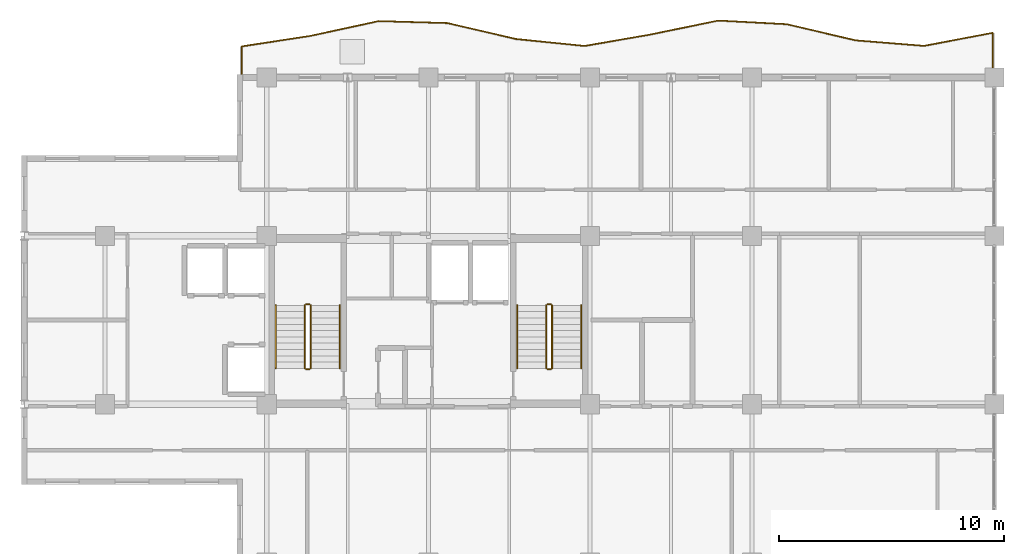
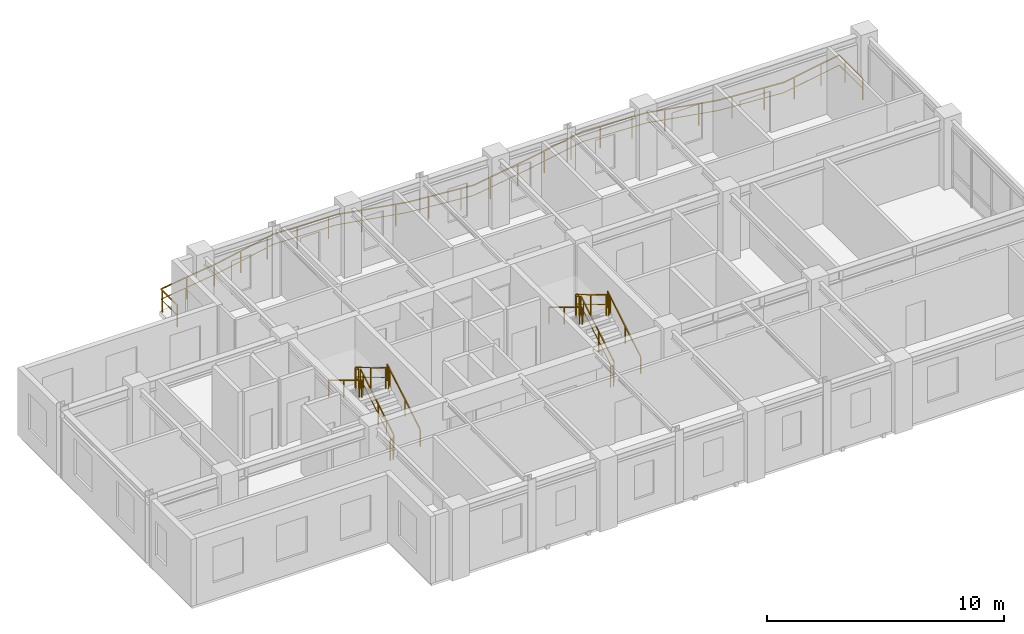
# One storey, part 10 of 10: 13 railings.
"""IFC4 building model written with IfcOpenShell, lengths in metres."""

from ifc_helpers import new_model, si_unit, direction, frame, origin, origin_2d, place, context, subcontext, project, spatial, rectangle, extrude, material, type_object, element, save


model = new_model("IFC4")

# Units and contexts
model_context = context("Model", 3, precision=1e-05, world=origin(), true_north=direction((0.0, 1.0)))
body_context = subcontext(model_context, "Body", "Model", "MODEL_VIEW")
ifc_project = project(units=[si_unit("LENGTHUNIT", "METRE"), si_unit("AREAUNIT", "SQUARE_METRE"), si_unit("VOLUMEUNIT", "CUBIC_METRE"), si_unit("PLANEANGLEUNIT", "RADIAN"), si_unit("MASSUNIT", "GRAM", prefix="KILO")], contexts=[model_context])

# Site, building, storey
site_placement = place(None, origin())
site = spatial("IfcSite", under=ifc_project, at=site_placement, CompositionType="ELEMENT")
building_placement = place(site_placement, origin())
building = spatial("IfcBuilding", under=site, at=building_placement, Name="Kaliganga Portal Commons", CompositionType="ELEMENT")
storey_placement = place(building_placement, frame((0.0, 0.0, 279.5)))
storey = spatial("IfcBuildingStorey", under=building, at=storey_placement, Name="L72", CompositionType="ELEMENT", Elevation=279.5)

# Railings
ifc_material_1 = material(Name="Laminated Safety Glass and Stainless Steel 316", Category="steel")
railing_type_1 = type_object("IfcRailingType", Name="RLG-BAL-1150", PredefinedType="BALUSTRADE", material=ifc_material_1)
railing_1_placement = place(storey_placement, frame((46.720458984375, 43.2080078125, 0.0)))
element("IfcRailing", 1, at=railing_1_placement, inside=storey, type_object=railing_type_1, Name="Balcony Guardrail L72 balc_north", PredefinedType="BALUSTRADE", context=body_context, shape_type="SweptSolid", body=[
    extrude(rectangle(XDim=0.048095703125, YDim=0.048095703125, at=origin_2d()), frame((0.0, 0.0, 1.1259765625), z_axis=(-0.000246426804, 0.999999969637, 0.0), x_axis=(-0.999999969637, -0.000246426804, 0.0)), (0.0, 0.0, 1.0), 1.9814453125),
    extrude(rectangle(XDim=0.028076171875, YDim=0.028076171875, at=origin_2d()), frame((0.0, 0.0, 0.597900390625), z_axis=(-0.000246426804, 0.999999969637, 0.0), x_axis=(-0.999999969637, -0.000246426804, 0.0)), (0.0, 0.0, 1.0), 1.9814453125),
    extrude(rectangle(XDim=0.048095703125, YDim=0.048095703125, at=origin_2d()), frame((-0.00048828125, 1.9814453125, 1.1259765625), z_axis=(-0.982425747669, -0.186653824811, 0.0), x_axis=(0.186653824811, -0.982425747669, 0.0)), (0.0, 0.0, 1.0), 3.109130859375),
    extrude(rectangle(XDim=0.028076171875, YDim=0.028076171875, at=origin_2d()), frame((-0.00048828125, 1.9814453125, 0.597900390625), z_axis=(-0.982425747669, -0.186653824811, 0.0), x_axis=(0.186653824811, -0.982425747669, 0.0)), (0.0, 0.0, 1.0), 3.109130859375),
    extrude(rectangle(XDim=0.048095703125, YDim=0.048095703125, at=origin_2d()), frame((-3.054931640625, 1.401123046875, 1.1259765625), z_axis=(-0.996751382799, 0.080539933505, 0.0), x_axis=(-0.080539933505, -0.996751382799, 0.0)), (0.0, 0.0, 1.0), 3.064697265625),
    extrude(rectangle(XDim=0.028076171875, YDim=0.028076171875, at=origin_2d()), frame((-3.054931640625, 1.401123046875, 0.597900390625), z_axis=(-0.996751382799, 0.080539933505, 0.0), x_axis=(-0.080539933505, -0.996751382799, 0.0)), (0.0, 0.0, 1.0), 3.064697265625),
    extrude(rectangle(XDim=0.048095703125, YDim=0.048095703125, at=origin_2d()), frame((-6.109619140625, 1.64794921875, 1.1259765625), z_axis=(-0.973439616392, 0.2289439085, 0.0), x_axis=(-0.2289439085, -0.973439616392, 0.0)), (0.0, 0.0, 1.0), 3.13720703125),
    extrude(rectangle(XDim=0.028076171875, YDim=0.028076171875, at=origin_2d()), frame((-6.109619140625, 1.64794921875, 0.597900390625), z_axis=(-0.973439616392, 0.2289439085, 0.0), x_axis=(-0.2289439085, -0.973439616392, 0.0)), (0.0, 0.0, 1.0), 3.13720703125),
    extrude(rectangle(XDim=0.048095703125, YDim=0.048095703125, at=origin_2d()), frame((-9.16357421875, 2.3662109375, 1.1259765625), z_axis=(-0.998610541148, 0.052697126182, 0.0), x_axis=(-0.052697126182, -0.998610541148, 0.0)), (0.0, 0.0, 1.0), 3.0576171875),
    extrude(rectangle(XDim=0.028076171875, YDim=0.028076171875, at=origin_2d()), frame((-9.16357421875, 2.3662109375, 0.597900390625), z_axis=(-0.998610541148, 0.052697126182, 0.0), x_axis=(-0.052697126182, -0.998610541148, 0.0)), (0.0, 0.0, 1.0), 3.0576171875),
    extrude(rectangle(XDim=0.048095703125, YDim=0.048095703125, at=origin_2d()), frame((-12.217041015625, 2.52734375, 1.1259765625), z_axis=(-0.979552885668, -0.201186838981, 0.0), x_axis=(0.201186838981, -0.979552885668, 0.0)), (0.0, 0.0, 1.0), 3.11865234375),
    extrude(rectangle(XDim=0.028076171875, YDim=0.028076171875, at=origin_2d()), frame((-12.217041015625, 2.52734375, 0.597900390625), z_axis=(-0.979552885668, -0.201186838981, 0.0), x_axis=(0.201186838981, -0.979552885668, 0.0)), (0.0, 0.0, 1.0), 3.11865234375),
    extrude(rectangle(XDim=0.048095703125, YDim=0.048095703125, at=origin_2d()), frame((-15.27197265625, 1.89990234375, 1.1259765625), z_axis=(-0.985276891523, -0.17096621605, 0.0), x_axis=(0.17096621605, -0.985276891523, 0.0)), (0.0, 0.0, 1.0), 2.940185546875),
    extrude(rectangle(XDim=0.028076171875, YDim=0.028076171875, at=origin_2d()), frame((-15.27197265625, 1.89990234375, 0.597900390625), z_axis=(-0.985276891523, -0.17096621605, 0.0), x_axis=(0.17096621605, -0.985276891523, 0.0)), (0.0, 0.0, 1.0), 2.940185546875),
    extrude(rectangle(XDim=0.048095703125, YDim=0.048095703125, at=origin_2d()), frame((-18.1689453125, 1.397216796875, 1.1259765625), z_axis=(-0.994891206319, 0.100952897875, 0.0), x_axis=(-0.100952897875, -0.994891206319, 0.0)), (0.0, 0.0, 1.0), 3.06884765625),
    extrude(rectangle(XDim=0.028076171875, YDim=0.028076171875, at=origin_2d()), frame((-18.1689453125, 1.397216796875, 0.597900390625), z_axis=(-0.994891206319, 0.100952897875, 0.0), x_axis=(-0.100952897875, -0.994891206319, 0.0)), (0.0, 0.0, 1.0), 3.06884765625),
    extrude(rectangle(XDim=0.048095703125, YDim=0.048095703125, at=origin_2d()), frame((-21.22216796875, 1.70703125, 1.1259765625), z_axis=(-0.974080664154, 0.226200927763, 0.0), x_axis=(-0.226200927763, -0.974080664154, 0.0)), (0.0, 0.0, 1.0), 3.136474609375),
    extrude(rectangle(XDim=0.028076171875, YDim=0.028076171875, at=origin_2d()), frame((-21.22216796875, 1.70703125, 0.597900390625), z_axis=(-0.974080664154, 0.226200927763, 0.0), x_axis=(-0.226200927763, -0.974080664154, 0.0)), (0.0, 0.0, 1.0), 3.136474609375),
    extrude(rectangle(XDim=0.048095703125, YDim=0.048095703125, at=origin_2d()), frame((-24.27734375, 2.41650390625, 1.1259765625), z_axis=(-0.999579278707, 0.029004578591, 0.0), x_axis=(-0.029004578591, -0.999579278707, 0.0)), (0.0, 0.0, 1.0), 3.055419921875),
    extrude(rectangle(XDim=0.028076171875, YDim=0.028076171875, at=origin_2d()), frame((-24.27734375, 2.41650390625, 0.597900390625), z_axis=(-0.999579278707, 0.029004578591, 0.0), x_axis=(-0.029004578591, -0.999579278707, 0.0)), (0.0, 0.0, 1.0), 3.055419921875),
    extrude(rectangle(XDim=0.048095703125, YDim=0.048095703125, at=origin_2d()), frame((-27.33154296875, 2.505126953125, 1.1259765625), z_axis=(-0.977367039829, -0.211550630953, 0.0), x_axis=(0.211550630953, -0.977367039829, 0.0)), (0.0, 0.0, 1.0), 3.125244140625),
    extrude(rectangle(XDim=0.028076171875, YDim=0.028076171875, at=origin_2d()), frame((-27.33154296875, 2.505126953125, 0.597900390625), z_axis=(-0.977367039829, -0.211550630953, 0.0), x_axis=(0.211550630953, -0.977367039829, 0.0)), (0.0, 0.0, 1.0), 3.125244140625),
    extrude(rectangle(XDim=0.048095703125, YDim=0.048095703125, at=origin_2d()), frame((-30.385986328125, 1.843994140625, 1.1259765625), z_axis=(-0.988487412372, -0.151303124826, 0.0), x_axis=(0.151303124826, -0.988487412372, 0.0)), (0.0, 0.0, 1.0), 3.090087890625),
    extrude(rectangle(XDim=0.028076171875, YDim=0.028076171875, at=origin_2d()), frame((-30.385986328125, 1.843994140625, 0.597900390625), z_axis=(-0.988487412372, -0.151303124826, 0.0), x_axis=(0.151303124826, -0.988487412372, 0.0)), (0.0, 0.0, 1.0), 3.090087890625),
    extrude(rectangle(XDim=0.048095703125, YDim=0.048095703125, at=origin_2d()), frame((-33.4404296875, 1.37646484375, 1.1259765625), z_axis=(-0.0003547357, -0.999999937081, 0.0), x_axis=(0.999999937081, -0.0003547357, 0.0)), (0.0, 0.0, 1.0), 1.37646484375),
    extrude(rectangle(XDim=0.028076171875, YDim=0.028076171875, at=origin_2d()), frame((-33.4404296875, 1.37646484375, 0.597900390625), z_axis=(-0.0003547357, -0.999999937081, 0.0), x_axis=(0.999999937081, -0.0003547357, 0.0)), (0.0, 0.0, 1.0), 1.37646484375),
    extrude(rectangle(XDim=0.0419921875, YDim=0.0419921875, at=origin_2d()), origin(), (0.0, 0.0, 1.0), 1.101806640625),
    extrude(rectangle(XDim=0.0419921875, YDim=0.0419921875, at=origin_2d()), frame((-0.00048828125, 1.5, 0.0)), (0.0, 0.0, 1.0), 1.101806640625),
    extrude(rectangle(XDim=0.0419921875, YDim=0.0419921875, at=origin_2d()), frame((-1.001220703125, 1.791259765625, 0.0)), (0.0, 0.0, 1.0), 1.101806640625),
    extrude(rectangle(XDim=0.0419921875, YDim=0.0419921875, at=origin_2d()), frame((-2.474853515625, 1.51123046875, 0.0)), (0.0, 0.0, 1.0), 1.101806640625),
    extrude(rectangle(XDim=0.0419921875, YDim=0.0419921875, at=origin_2d()), frame((-3.96142578125, 1.474365234375, 0.0)), (0.0, 0.0, 1.0), 1.101806640625),
    extrude(rectangle(XDim=0.0419921875, YDim=0.0419921875, at=origin_2d()), frame((-5.45654296875, 1.59521484375, 0.0)), (0.0, 0.0, 1.0), 1.101806640625),
    extrude(rectangle(XDim=0.0419921875, YDim=0.0419921875, at=origin_2d()), frame((-6.93212890625, 1.84130859375, 0.0)), (0.0, 0.0, 1.0), 1.101806640625),
    extrude(rectangle(XDim=0.0419921875, YDim=0.0419921875, at=origin_2d()), frame((-8.39208984375, 2.184814453125, 0.0)), (0.0, 0.0, 1.0), 1.101806640625),
    extrude(rectangle(XDim=0.0419921875, YDim=0.0419921875, at=origin_2d()), frame((-9.8701171875, 2.403564453125, 0.0)), (0.0, 0.0, 1.0), 1.101806640625),
    extrude(rectangle(XDim=0.0419921875, YDim=0.0419921875, at=origin_2d()), frame((-11.3681640625, 2.482421875, 0.0)), (0.0, 0.0, 1.0), 1.101806640625),
    extrude(rectangle(XDim=0.0419921875, YDim=0.0419921875, at=origin_2d()), frame((-12.853515625, 2.396728515625, 0.0)), (0.0, 0.0, 1.0), 1.101806640625),
    extrude(rectangle(XDim=0.0419921875, YDim=0.0419921875, at=origin_2d()), frame((-14.322998046875, 2.0947265625, 0.0)), (0.0, 0.0, 1.0), 1.101806640625),
    extrude(rectangle(XDim=0.0419921875, YDim=0.0419921875, at=origin_2d()), frame((-15.795166015625, 1.80908203125, 0.0)), (0.0, 0.0, 1.0), 1.101806640625),
    extrude(rectangle(XDim=0.0419921875, YDim=0.0419921875, at=origin_2d()), frame((-17.273193359375, 1.552734375, 0.0)), (0.0, 0.0, 1.0), 1.101806640625),
    extrude(rectangle(XDim=0.0419921875, YDim=0.0419921875, at=origin_2d()), frame((-18.7568359375, 1.456787109375, 0.0)), (0.0, 0.0, 1.0), 1.101806640625),
    extrude(rectangle(XDim=0.0419921875, YDim=0.0419921875, at=origin_2d()), frame((-20.2490234375, 1.6083984375, 0.0)), (0.0, 0.0, 1.0), 1.101806640625),
    extrude(rectangle(XDim=0.0419921875, YDim=0.0419921875, at=origin_2d()), frame((-21.730712890625, 1.8251953125, 0.0)), (0.0, 0.0, 1.0), 1.101806640625),
    extrude(rectangle(XDim=0.0419921875, YDim=0.0419921875, at=origin_2d()), frame((-23.191650390625, 2.164306640625, 0.0)), (0.0, 0.0, 1.0), 1.101806640625),
    extrude(rectangle(XDim=0.0419921875, YDim=0.0419921875, at=origin_2d()), frame((-24.66259765625, 2.427734375, 0.0)), (0.0, 0.0, 1.0), 1.101806640625),
    extrude(rectangle(XDim=0.0419921875, YDim=0.0419921875, at=origin_2d()), frame((-26.162109375, 2.47119140625, 0.0)), (0.0, 0.0, 1.0), 1.101806640625),
    extrude(rectangle(XDim=0.0419921875, YDim=0.0419921875, at=origin_2d()), frame((-27.654052734375, 2.435302734375, 0.0)), (0.0, 0.0, 1.0), 1.101806640625),
    extrude(rectangle(XDim=0.0419921875, YDim=0.0419921875, at=origin_2d()), frame((-29.1201171875, 2.117919921875, 0.0)), (0.0, 0.0, 1.0), 1.101806640625),
    extrude(rectangle(XDim=0.0419921875, YDim=0.0419921875, at=origin_2d()), frame((-30.58837890625, 1.81298828125, 0.0)), (0.0, 0.0, 1.0), 1.101806640625),
    extrude(rectangle(XDim=0.0419921875, YDim=0.0419921875, at=origin_2d()), frame((-32.0712890625, 1.5859375, 0.0)), (0.0, 0.0, 1.0), 1.101806640625),
    extrude(rectangle(XDim=0.0419921875, YDim=0.0419921875, at=origin_2d()), frame((-33.4404296875, 1.26171875, 0.0)), (0.0, 0.0, 1.0), 1.101806640625),
    extrude(rectangle(XDim=0.0419921875, YDim=0.0419921875, at=origin_2d()), frame((-33.44091796875, 0.0, 0.0)), (0.0, 0.0, 1.0), 1.101806640625),
])
ifc_material_2 = material(Name="Galvanized Painted Steel Balustrade", Category="steel")
railing_type_2 = type_object("IfcRailingType", Name="RLG-STAIR-GRD", PredefinedType="GUARDRAIL", material=ifc_material_2)
railing_2_placement = place(storey_placement, frame((16.35009765625, 30.25, 0.168212890625)))
element("IfcRailing", 2, at=railing_2_placement, inside=storey, type_object=railing_type_2, Name="L72 ST-A1 stair guard 1", PredefinedType="GUARDRAIL", context=body_context, shape_type="SweptSolid", body=[
    extrude(rectangle(XDim=0.048095703125, YDim=0.048095703125, at=origin_2d()), frame((0.0, 0.0, 1.072021484375), z_axis=(0.0, 0.857242210791, 0.514913383045), x_axis=(-1.0, 0.0, 0.0)), (0.0, 0.0, 1.0), 3.266357421875),
    extrude(rectangle(XDim=0.028076171875, YDim=0.028076171875, at=origin_2d()), frame((0.0, 0.0, 0.572021484375), z_axis=(0.0, 0.857242210791, 0.514913383045), x_axis=(-1.0, 0.0, 0.0)), (0.0, 0.0, 1.0), 3.266357421875),
    extrude(rectangle(XDim=0.0419921875, YDim=0.0419921875, at=origin_2d()), origin(), (0.0, 0.0, 1.0), 1.052001953125),
    extrude(rectangle(XDim=0.0419921875, YDim=0.0419921875, at=origin_2d()), frame((0.0, 1.285888671875, 0.7724609375)), (0.0, 0.0, 1.0), 1.052001953125),
    extrude(rectangle(XDim=0.0419921875, YDim=0.0419921875, at=origin_2d()), frame((0.0, 2.57177734375, 1.544677734375)), (0.0, 0.0, 1.0), 1.052001953125),
    extrude(rectangle(XDim=0.0419921875, YDim=0.0419921875, at=origin_2d()), frame((0.0, 2.800048828125, 1.681884765625)), (0.0, 0.0, 1.0), 1.052001953125),
])
railing_3_placement = place(storey_placement, frame((16.300048828125, 33.10009765625, 1.85009765625)))
element("IfcRailing", 3, at=railing_3_placement, inside=storey, type_object=railing_type_2, Name="L72 ST-A1 stair guard 2", PredefinedType="GUARDRAIL", context=body_context, shape_type="SweptSolid", body=[
    extrude(rectangle(XDim=0.048095703125, YDim=0.048095703125, at=origin_2d()), frame((0.0, 0.0, 1.076171875), z_axis=(-1.0, 0.0, 0.0), x_axis=(0.0, -1.0, 0.0)), (0.0, 0.0, 1.0), 0.150146484375),
    extrude(rectangle(XDim=0.028076171875, YDim=0.028076171875, at=origin_2d()), frame((0.0, 0.0, 0.572021484375), z_axis=(-1.0, 0.0, 0.0), x_axis=(0.0, -1.0, 0.0)), (0.0, 0.0, 1.0), 0.150146484375),
    extrude(rectangle(XDim=0.0419921875, YDim=0.0419921875, at=origin_2d()), origin(), (0.0, 0.0, 1.0), 1.052001953125),
    extrude(rectangle(XDim=0.0419921875, YDim=0.0419921875, at=origin_2d()), frame((-0.150146484375, 0.0, 0.0)), (0.0, 0.0, 1.0), 1.052001953125),
])
railing_4_placement = place(storey_placement, frame((16.10009765625, 33.050048828125, 2.01806640625)))
element("IfcRailing", 4, at=railing_4_placement, inside=storey, type_object=railing_type_2, Name="L72 ST-A1 stair guard 3", PredefinedType="GUARDRAIL", context=body_context, shape_type="SweptSolid", body=[
    extrude(rectangle(XDim=0.048095703125, YDim=0.048095703125, at=origin_2d()), frame((0.0, 0.0, 1.072021484375), z_axis=(0.0, -0.857242210791, 0.514913383045), x_axis=(1.0, 0.0, 0.0)), (0.0, 0.0, 1.0), 3.266357421875),
    extrude(rectangle(XDim=0.028076171875, YDim=0.028076171875, at=origin_2d()), frame((0.0, 0.0, 0.572021484375), z_axis=(0.0, -0.857242210791, 0.514913383045), x_axis=(1.0, 0.0, 0.0)), (0.0, 0.0, 1.0), 3.266357421875),
    extrude(rectangle(XDim=0.0419921875, YDim=0.0419921875, at=origin_2d()), origin(), (0.0, 0.0, 1.0), 1.052001953125),
    extrude(rectangle(XDim=0.0419921875, YDim=0.0419921875, at=origin_2d()), frame((0.0, -1.285888671875, 0.7724609375)), (0.0, 0.0, 1.0), 1.052001953125),
    extrude(rectangle(XDim=0.0419921875, YDim=0.0419921875, at=origin_2d()), frame((0.0, -2.57177734375, 1.544677734375)), (0.0, 0.0, 1.0), 1.052001953125),
    extrude(rectangle(XDim=0.0419921875, YDim=0.0419921875, at=origin_2d()), frame((0.0, -2.800048828125, 1.681884765625)), (0.0, 0.0, 1.0), 1.052001953125),
])
railing_5_placement = place(storey_placement, frame((16.300048828125, 30.199951171875, 0.0)))
element("IfcRailing", 5, at=railing_5_placement, inside=storey, type_object=railing_type_2, Name="L72 ST-A1 stair guard 4", PredefinedType="GUARDRAIL", context=body_context, shape_type="SweptSolid", body=[
    extrude(rectangle(XDim=0.048095703125, YDim=0.048095703125, at=origin_2d()), frame((0.0, 0.0, 1.076171875), z_axis=(-1.0, 0.0, 0.0), x_axis=(0.0, -1.0, 0.0)), (0.0, 0.0, 1.0), 0.150146484375),
    extrude(rectangle(XDim=0.028076171875, YDim=0.028076171875, at=origin_2d()), frame((0.0, 0.0, 0.572021484375), z_axis=(-1.0, 0.0, 0.0), x_axis=(0.0, -1.0, 0.0)), (0.0, 0.0, 1.0), 0.150146484375),
    extrude(rectangle(XDim=0.0419921875, YDim=0.0419921875, at=origin_2d()), origin(), (0.0, 0.0, 1.0), 1.052001953125),
    extrude(rectangle(XDim=0.0419921875, YDim=0.0419921875, at=origin_2d()), frame((-0.150146484375, 0.0, 0.0)), (0.0, 0.0, 1.0), 1.052001953125),
])
railing_6_placement = place(storey_placement, frame((27.10009765625, 30.25, 0.168212890625)))
element("IfcRailing", 6, at=railing_6_placement, inside=storey, type_object=railing_type_2, Name="L72 ST-A2 stair guard 1", PredefinedType="GUARDRAIL", context=body_context, shape_type="SweptSolid", body=[
    extrude(rectangle(XDim=0.048095703125, YDim=0.048095703125, at=origin_2d()), frame((0.0, 0.0, 1.072021484375), z_axis=(0.0, 0.857242210791, 0.514913383045), x_axis=(-1.0, 0.0, 0.0)), (0.0, 0.0, 1.0), 3.266357421875),
    extrude(rectangle(XDim=0.028076171875, YDim=0.028076171875, at=origin_2d()), frame((0.0, 0.0, 0.572021484375), z_axis=(0.0, 0.857242210791, 0.514913383045), x_axis=(-1.0, 0.0, 0.0)), (0.0, 0.0, 1.0), 3.266357421875),
    extrude(rectangle(XDim=0.0419921875, YDim=0.0419921875, at=origin_2d()), origin(), (0.0, 0.0, 1.0), 1.052001953125),
    extrude(rectangle(XDim=0.0419921875, YDim=0.0419921875, at=origin_2d()), frame((0.0, 1.285888671875, 0.7724609375)), (0.0, 0.0, 1.0), 1.052001953125),
    extrude(rectangle(XDim=0.0419921875, YDim=0.0419921875, at=origin_2d()), frame((0.0, 2.57177734375, 1.544677734375)), (0.0, 0.0, 1.0), 1.052001953125),
    extrude(rectangle(XDim=0.0419921875, YDim=0.0419921875, at=origin_2d()), frame((0.0, 2.800048828125, 1.681884765625)), (0.0, 0.0, 1.0), 1.052001953125),
])
railing_7_placement = place(storey_placement, frame((27.050048828125, 33.10009765625, 1.85009765625)))
element("IfcRailing", 7, at=railing_7_placement, inside=storey, type_object=railing_type_2, Name="L72 ST-A2 stair guard 2", PredefinedType="GUARDRAIL", context=body_context, shape_type="SweptSolid", body=[
    extrude(rectangle(XDim=0.048095703125, YDim=0.048095703125, at=origin_2d()), frame((0.0, 0.0, 1.076171875), z_axis=(-1.0, 0.0, 0.0), x_axis=(0.0, -1.0, 0.0)), (0.0, 0.0, 1.0), 0.150146484375),
    extrude(rectangle(XDim=0.028076171875, YDim=0.028076171875, at=origin_2d()), frame((0.0, 0.0, 0.572021484375), z_axis=(-1.0, 0.0, 0.0), x_axis=(0.0, -1.0, 0.0)), (0.0, 0.0, 1.0), 0.150146484375),
    extrude(rectangle(XDim=0.0419921875, YDim=0.0419921875, at=origin_2d()), origin(), (0.0, 0.0, 1.0), 1.052001953125),
    extrude(rectangle(XDim=0.0419921875, YDim=0.0419921875, at=origin_2d()), frame((-0.150146484375, 0.0, 0.0)), (0.0, 0.0, 1.0), 1.052001953125),
])
railing_8_placement = place(storey_placement, frame((26.85009765625, 33.050048828125, 2.01806640625)))
element("IfcRailing", 8, at=railing_8_placement, inside=storey, type_object=railing_type_2, Name="L72 ST-A2 stair guard 3", PredefinedType="GUARDRAIL", context=body_context, shape_type="SweptSolid", body=[
    extrude(rectangle(XDim=0.048095703125, YDim=0.048095703125, at=origin_2d()), frame((0.0, 0.0, 1.072021484375), z_axis=(0.0, -0.857242210791, 0.514913383045), x_axis=(1.0, 0.0, 0.0)), (0.0, 0.0, 1.0), 3.266357421875),
    extrude(rectangle(XDim=0.028076171875, YDim=0.028076171875, at=origin_2d()), frame((0.0, 0.0, 0.572021484375), z_axis=(0.0, -0.857242210791, 0.514913383045), x_axis=(1.0, 0.0, 0.0)), (0.0, 0.0, 1.0), 3.266357421875),
    extrude(rectangle(XDim=0.0419921875, YDim=0.0419921875, at=origin_2d()), origin(), (0.0, 0.0, 1.0), 1.052001953125),
    extrude(rectangle(XDim=0.0419921875, YDim=0.0419921875, at=origin_2d()), frame((0.0, -1.285888671875, 0.7724609375)), (0.0, 0.0, 1.0), 1.052001953125),
    extrude(rectangle(XDim=0.0419921875, YDim=0.0419921875, at=origin_2d()), frame((0.0, -2.57177734375, 1.544677734375)), (0.0, 0.0, 1.0), 1.052001953125),
    extrude(rectangle(XDim=0.0419921875, YDim=0.0419921875, at=origin_2d()), frame((0.0, -2.800048828125, 1.681884765625)), (0.0, 0.0, 1.0), 1.052001953125),
])
railing_9_placement = place(storey_placement, frame((27.050048828125, 30.199951171875, 0.0)))
element("IfcRailing", 9, at=railing_9_placement, inside=storey, type_object=railing_type_2, Name="L72 ST-A2 stair guard 4", PredefinedType="GUARDRAIL", context=body_context, shape_type="SweptSolid", body=[
    extrude(rectangle(XDim=0.048095703125, YDim=0.048095703125, at=origin_2d()), frame((0.0, 0.0, 1.076171875), z_axis=(-1.0, 0.0, 0.0), x_axis=(0.0, -1.0, 0.0)), (0.0, 0.0, 1.0), 0.150146484375),
    extrude(rectangle(XDim=0.028076171875, YDim=0.028076171875, at=origin_2d()), frame((0.0, 0.0, 0.572021484375), z_axis=(-1.0, 0.0, 0.0), x_axis=(0.0, -1.0, 0.0)), (0.0, 0.0, 1.0), 0.150146484375),
    extrude(rectangle(XDim=0.0419921875, YDim=0.0419921875, at=origin_2d()), origin(), (0.0, 0.0, 1.0), 1.052001953125),
    extrude(rectangle(XDim=0.0419921875, YDim=0.0419921875, at=origin_2d()), frame((-0.150146484375, 0.0, 0.0)), (0.0, 0.0, 1.0), 1.052001953125),
])
ifc_material_3 = material(Name="Brushed Stainless Steel 316", Category="steel")
railing_type_3 = type_object("IfcRailingType", Name="RLG-STAIR-HR", PredefinedType="HANDRAIL", material=ifc_material_3)
railing_10_placement = place(storey_placement, frame((17.64990234375, 30.25, 0.168212890625)))
element("IfcRailing", 10, at=railing_10_placement, inside=storey, type_object=railing_type_3, Name="L72 ST-A1 stair handrail 1", PredefinedType="HANDRAIL", context=body_context, shape_type="SweptSolid", body=[
    extrude(rectangle(XDim=0.048095703125, YDim=0.048095703125, at=origin_2d()), frame((0.0, 0.0, 0.871826171875), z_axis=(0.0, 0.857242210791, 0.514913383045), x_axis=(-1.0, 0.0, 0.0)), (0.0, 0.0, 1.0), 3.266357421875),
    extrude(rectangle(XDim=0.0419921875, YDim=0.0419921875, at=origin_2d()), origin(), (0.0, 0.0, 1.0), 0.851806640625),
    extrude(rectangle(XDim=0.0419921875, YDim=0.0419921875, at=origin_2d()), frame((0.0, 1.285888671875, 0.7724609375)), (0.0, 0.0, 1.0), 0.851806640625),
    extrude(rectangle(XDim=0.0419921875, YDim=0.0419921875, at=origin_2d()), frame((0.0, 2.57177734375, 1.544677734375)), (0.0, 0.0, 1.0), 0.851806640625),
    extrude(rectangle(XDim=0.0419921875, YDim=0.0419921875, at=origin_2d()), frame((0.0, 2.800048828125, 1.681884765625)), (0.0, 0.0, 1.0), 0.851806640625),
])
railing_11_placement = place(storey_placement, frame((14.800048828125, 33.050048828125, 2.01806640625)))
element("IfcRailing", 11, at=railing_11_placement, inside=storey, type_object=railing_type_3, Name="L72 ST-A1 stair handrail 2", PredefinedType="HANDRAIL", context=body_context, shape_type="SweptSolid", body=[
    extrude(rectangle(XDim=0.048095703125, YDim=0.048095703125, at=origin_2d()), frame((0.0, 0.0, 0.871826171875), z_axis=(0.0, -0.857242210791, 0.514913383045), x_axis=(1.0, 0.0, 0.0)), (0.0, 0.0, 1.0), 3.266357421875),
    extrude(rectangle(XDim=0.0419921875, YDim=0.0419921875, at=origin_2d()), origin(), (0.0, 0.0, 1.0), 0.851806640625),
    extrude(rectangle(XDim=0.0419921875, YDim=0.0419921875, at=origin_2d()), frame((0.0, -1.285888671875, 0.7724609375)), (0.0, 0.0, 1.0), 0.851806640625),
    extrude(rectangle(XDim=0.0419921875, YDim=0.0419921875, at=origin_2d()), frame((0.0, -2.57177734375, 1.544677734375)), (0.0, 0.0, 1.0), 0.851806640625),
    extrude(rectangle(XDim=0.0419921875, YDim=0.0419921875, at=origin_2d()), frame((0.0, -2.800048828125, 1.681884765625)), (0.0, 0.0, 1.0), 0.851806640625),
])
railing_12_placement = place(storey_placement, frame((28.39990234375, 30.25, 0.168212890625)))
element("IfcRailing", 12, at=railing_12_placement, inside=storey, type_object=railing_type_3, Name="L72 ST-A2 stair handrail 1", PredefinedType="HANDRAIL", context=body_context, shape_type="SweptSolid", body=[
    extrude(rectangle(XDim=0.048095703125, YDim=0.048095703125, at=origin_2d()), frame((0.0, 0.0, 0.871826171875), z_axis=(0.0, 0.857242210791, 0.514913383045), x_axis=(-1.0, 0.0, 0.0)), (0.0, 0.0, 1.0), 3.266357421875),
    extrude(rectangle(XDim=0.0419921875, YDim=0.0419921875, at=origin_2d()), origin(), (0.0, 0.0, 1.0), 0.851806640625),
    extrude(rectangle(XDim=0.0419921875, YDim=0.0419921875, at=origin_2d()), frame((0.0, 1.285888671875, 0.7724609375)), (0.0, 0.0, 1.0), 0.851806640625),
    extrude(rectangle(XDim=0.0419921875, YDim=0.0419921875, at=origin_2d()), frame((0.0, 2.57177734375, 1.544677734375)), (0.0, 0.0, 1.0), 0.851806640625),
    extrude(rectangle(XDim=0.0419921875, YDim=0.0419921875, at=origin_2d()), frame((0.0, 2.800048828125, 1.681884765625)), (0.0, 0.0, 1.0), 0.851806640625),
])
railing_13_placement = place(storey_placement, frame((25.550048828125, 33.050048828125, 2.01806640625)))
element("IfcRailing", 13, at=railing_13_placement, inside=storey, type_object=railing_type_3, Name="L72 ST-A2 stair handrail 2", PredefinedType="HANDRAIL", context=body_context, shape_type="SweptSolid", body=[
    extrude(rectangle(XDim=0.048095703125, YDim=0.048095703125, at=origin_2d()), frame((0.0, 0.0, 0.871826171875), z_axis=(0.0, -0.857242210791, 0.514913383045), x_axis=(1.0, 0.0, 0.0)), (0.0, 0.0, 1.0), 3.266357421875),
    extrude(rectangle(XDim=0.0419921875, YDim=0.0419921875, at=origin_2d()), origin(), (0.0, 0.0, 1.0), 0.851806640625),
    extrude(rectangle(XDim=0.0419921875, YDim=0.0419921875, at=origin_2d()), frame((0.0, -1.285888671875, 0.7724609375)), (0.0, 0.0, 1.0), 0.851806640625),
    extrude(rectangle(XDim=0.0419921875, YDim=0.0419921875, at=origin_2d()), frame((0.0, -2.57177734375, 1.544677734375)), (0.0, 0.0, 1.0), 0.851806640625),
    extrude(rectangle(XDim=0.0419921875, YDim=0.0419921875, at=origin_2d()), frame((0.0, -2.800048828125, 1.681884765625)), (0.0, 0.0, 1.0), 0.851806640625),
])

save(model, "model.ifc")
